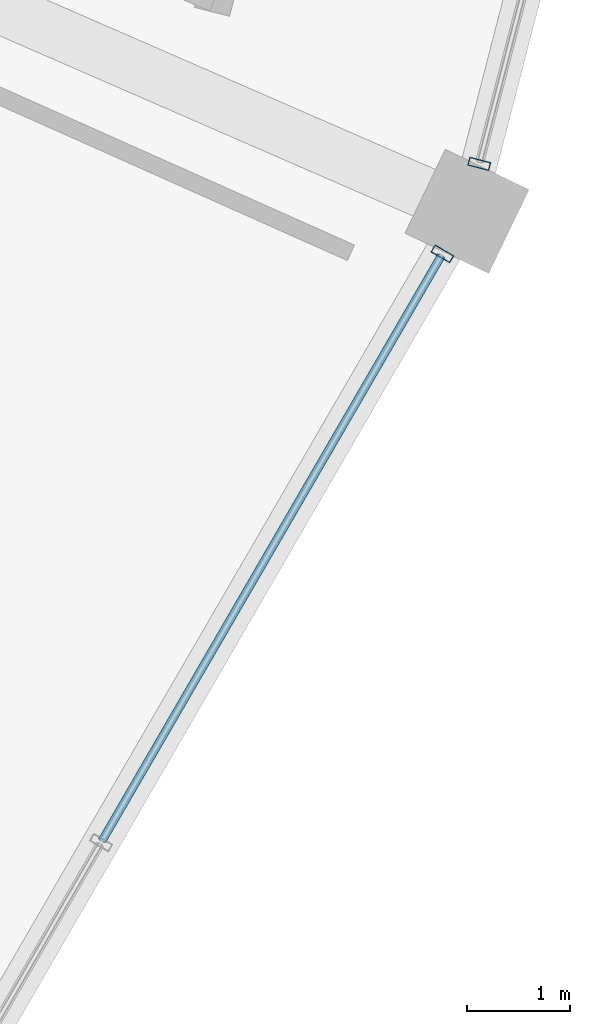
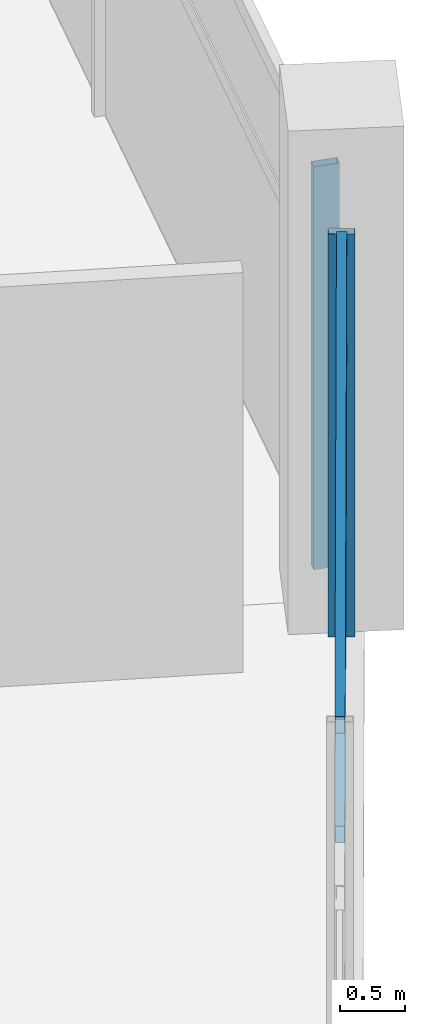
# One storey, part 63 of 171: 4 members, 2 elements without a shape of their own.
"""IFC4 building model written with IfcOpenShell, lengths in metres."""

from ifc_helpers import new_model, si_unit, direction, frame, origin, origin_2d, place, context, subcontext, project, spatial, hollow_rectangle, extrude, material, layer, layer_set, material_profile, profile_set, type_object, element, aggregate, save


model = new_model("IFC4")

# Units and contexts
model_context = context("Model", 3, precision=1e-05, world=origin(), true_north=direction((0.0, 1.0)))
body_context = subcontext(model_context, "Body", "Model", "MODEL_VIEW")
ifc_project = project(units=[si_unit("LENGTHUNIT", "METRE"), si_unit("AREAUNIT", "SQUARE_METRE"), si_unit("VOLUMEUNIT", "CUBIC_METRE"), si_unit("PLANEANGLEUNIT", "RADIAN"), si_unit("MASSUNIT", "GRAM", prefix="KILO")], contexts=[model_context])

# Site, building, storey
site_placement = place(None, origin())
site = spatial("IfcSite", under=ifc_project, at=site_placement, CompositionType="ELEMENT")
building_placement = place(site_placement, origin())
building = spatial("IfcBuilding", under=site, at=building_placement, Name="Kazemori Nagisa Stadium", CompositionType="ELEMENT")
storey_placement = place(building_placement, frame((0.0, 0.0, 15.639892578125)))
storey = spatial("IfcBuildingStorey", under=building, at=storey_placement, Name="L03", CompositionType="ELEMENT", Elevation=15.639892578125)

# Curtain wall, member
ifc_material_1 = material(Name="Anodised aluminium 6063-T5", Category="aluminium")
ifc_layer_1 = layer(ifc_material_1, 0.2099609375, Name="Anodised aluminium 6063-T5", Category="aluminium")
ifc_layer_set_1 = layer_set([ifc_layer_1], Name="Anodised aluminium 6063-T5")
curtain_wall_type_1 = type_object("IfcCurtainWallType", Name="CW_L03R3_99", PredefinedType="USERDEFINED", material=ifc_layer_set_1)
curtain_wall_1_placement = place(storey_placement, origin())
curtain_wall_1 = element("IfcCurtainWall", 1, at=curtain_wall_1_placement, inside=storey, type_object=curtain_wall_type_1, Name="Unitised curtain wall CW-L03R3-99 L03", ObjectType="UNITISED CURTAIN WALL", PredefinedType="USERDEFINED")
ifc_material_2 = material(Name="Aluminium 6063-T5 anodised", Category="aluminium")
ifc_material_profile_1 = material_profile(ifc_material_2, hollow_rectangle(XDim=0.080078125, YDim=0.2099609375, WallThickness=0.0048828125, at=origin_2d()), Name="ALU-MULL-80x210x5")
ifc_profile_set_1 = profile_set([ifc_material_profile_1], Name="Aluminium 6063-T5 anodised")
member_type_1 = type_object("IfcMemberType", Name="Mullion_M02", PredefinedType="MULLION", material=ifc_profile_set_1)
member_1_placement = place(storey_placement, frame((211.646728515625, 62.839599609375, 0.0), z_axis=(0.0, 0.0, 1.0), x_axis=(0.501611590054, 0.865092950337, 0.0)))
member_1 = element("IfcMember", 2, at=member_1_placement, type_object=member_type_1, Name="Curtain wall mullion CW-L03R3-99-M4", PredefinedType="MULLION", context=body_context, shape_type="SweptSolid", body=[
    extrude(hollow_rectangle(XDim=0.080078125, YDim=0.2099609375, WallThickness=0.0048828125, at=origin_2d()), origin(), (0.0, 0.0, 1.0), 3.81005859375),
])

ifc_layer_2 = layer(ifc_material_1, 0.2099609375, Name="Anodised aluminium 6063-T5", Category="aluminium")
ifc_layer_set_2 = layer_set([ifc_layer_2], Name="Anodised aluminium 6063-T5")
curtain_wall_type_2 = type_object("IfcCurtainWallType", Name="CW_L03R3_96", PredefinedType="USERDEFINED", material=ifc_layer_set_2)
curtain_wall_2_placement = place(storey_placement, origin())
curtain_wall_2 = element("IfcCurtainWall", 3, at=curtain_wall_2_placement, inside=storey, type_object=curtain_wall_type_2, Name="Unitised curtain wall CW-L03R3-96 L03", ObjectType="UNITISED CURTAIN WALL", PredefinedType="USERDEFINED")
member_2_placement = place(storey_placement, frame((212.003662109375, 63.71044921875, 0.0), z_axis=(0.0, 0.0, 1.0), x_axis=(0.249964642418, 0.968254965152, 0.0)))
member_2 = element("IfcMember", 4, at=member_2_placement, type_object=member_type_1, Name="Curtain wall mullion CW-L03R3-96-M1", PredefinedType="MULLION", context=body_context, shape_type="SweptSolid", body=[
    extrude(hollow_rectangle(XDim=0.080078125, YDim=0.2099609375, WallThickness=0.0048828125, at=origin_2d()), origin(), (0.0, 0.0, 1.0), 3.81005859375),
])
aggregate(curtain_wall_2, [member_2])

# Member
ifc_material_profile_2 = material_profile(ifc_material_2, hollow_rectangle(XDim=0.080078125, YDim=0.159912109375, WallThickness=0.00390625, at=origin_2d()), Name="ALU-TRAN-80x160x4")
ifc_profile_set_2 = profile_set([ifc_material_profile_2], Name="Aluminium 6063-T5 anodised")
member_type_2 = type_object("IfcMemberType", Name="Transom_T02", PredefinedType="USERDEFINED", material=ifc_profile_set_2)
member_3_placement = place(storey_placement, frame((208.352294921875, 57.158203125, 2.705322265625), z_axis=(0.501634382126, 0.865079734284, 0.0), x_axis=(-0.865079734284, 0.501634382126, 0.0)))
member_3 = element("IfcMember", 5, at=member_3_placement, type_object=member_type_2, Name="Curtain wall transom CW-L03R3-99-T3-mid", ObjectType="TRANSOM", PredefinedType="USERDEFINED", context=body_context, shape_type="SweptSolid", body=[
    extrude(hollow_rectangle(XDim=0.080078125, YDim=0.159912109375, WallThickness=0.00390625, at=origin_2d()), origin(), (0.0, 0.0, 1.0), 6.54736328125),
])

member_4_placement = place(storey_placement, frame((208.352294921875, 57.158203125, 3.739990234375), z_axis=(0.501634382126, 0.865079734284, 0.0), x_axis=(-0.865079734284, 0.501634382126, 0.0)))
member_4 = element("IfcMember", 6, at=member_4_placement, type_object=member_type_2, Name="Curtain wall transom CW-L03R3-99-T3-head", ObjectType="TRANSOM", PredefinedType="USERDEFINED", context=body_context, shape_type="SweptSolid", body=[
    extrude(hollow_rectangle(XDim=0.080078125, YDim=0.159912109375, WallThickness=0.00390625, at=origin_2d()), origin(), (0.0, 0.0, 1.0), 6.54736328125),
])

aggregate(curtain_wall_1, [member_1, member_3, member_4])

save(model, "model.ifc")
